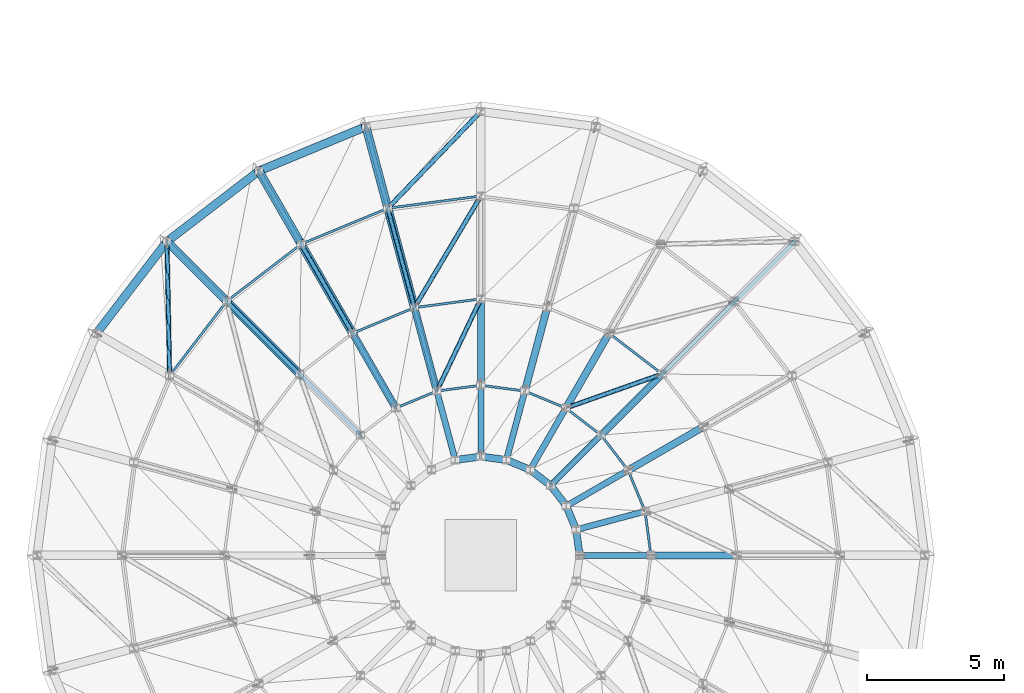
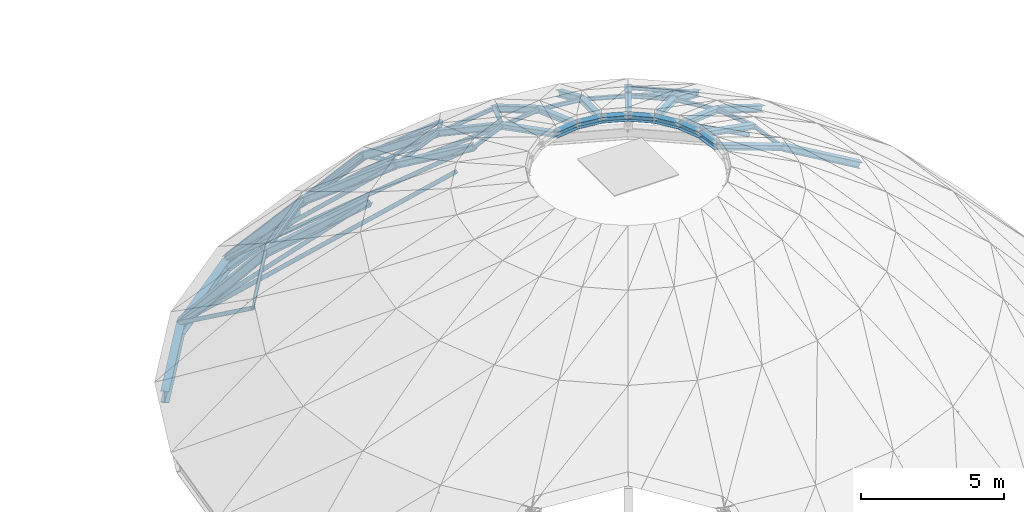
# One storey, part 4 of 19: 32 beams, 27 members.
"""IFC4 building model written with IfcOpenShell, lengths in metres."""

import ifcopenshell
import ifcopenshell.guid

model = None  # the IFC model being written
_history = None  # IfcOwnerHistory: only IFC2X3 demands one
_inside = {}  # id of a spatial element -> (the spatial element, [elements in it])
_under = {}  # id of a project, library or spatial element -> (it, [spatial elements below it])
_declared = {}  # id of a project -> (the project, [libraries it declares])
_typed = {}  # id of a type object -> (the type object, [elements of that type])
_made_of = {}  # id of a material, layer set ... -> (it, [elements and type objects made of it])


def new_model(schema):
    """Start an empty IFC model of exactly this schema.

    Asked for "IFC4X3", IfcOpenShell would pick the latest addendum, in which some entities
    have other attributes; the version numbers below select the first issue.
    IFC2X3 requires an IfcOwnerHistory on every rooted entity: one is made here for all.
    """
    global model, _history
    if schema == "IFC4X3":
        model = ifcopenshell.file(schema_version=(4, 3, 0, 0))
    else:
        model = ifcopenshell.file(schema=schema)
    _inside.clear()
    _under.clear()
    _declared.clear()
    _typed.clear()
    _made_of.clear()
    _history = None
    if model.schema == "IFC2X3":
        org = make("IfcOrganization", Name="unknown")
        user = make(
            "IfcPersonAndOrganization",
            ThePerson=make("IfcPerson", FamilyName="unknown"),
            TheOrganization=org,
        )
        app = make(
            "IfcApplication",
            ApplicationDeveloper=org,
            Version="unknown",
            ApplicationFullName="unknown",
            ApplicationIdentifier="unknown",
        )
        _history = make(
            "IfcOwnerHistory",
            OwningUser=user,
            OwningApplication=app,
            ChangeAction="ADDED",
            CreationDate=0,
        )
    return model


def make(cls, **values):
    """One entity of the class cls with the attributes given. An attribute that is None is left unset."""
    return model.create_entity(
        cls, **{name: value for name, value in values.items() if value is not None}
    )


def rooted(cls, **values):
    """An entity with a GlobalId (a new one), such as an element, a storey or a relation."""
    return make(cls, GlobalId=ifcopenshell.guid.new(), OwnerHistory=_history, **values)


def si_unit(unit_type, name, prefix=None):
    """IfcSIUnit, for example si_unit("LENGTHUNIT", "METRE", prefix="MILLI")."""
    return make("IfcSIUnit", UnitType=unit_type, Prefix=prefix, Name=name)


def assignment(units):
    """IfcUnitAssignment: the units of a project."""
    return None if units is None else make("IfcUnitAssignment", Units=units)


def point(xyz):
    """IfcCartesianPoint."""
    return None if xyz is None else make("IfcCartesianPoint", Coordinates=xyz)


def direction(xyz):
    """IfcDirection."""
    return None if xyz is None else make("IfcDirection", DirectionRatios=xyz)


def frame(location, z_axis=None, x_axis=None):
    """IfcAxis2Placement3D, a coordinate frame: its origin and axes. An axis left out is left unset."""
    return make(
        "IfcAxis2Placement3D",
        Location=point(location),
        Axis=direction(z_axis),
        RefDirection=direction(x_axis),
    )


def frame_2d(location, x_axis=None):
    """IfcAxis2Placement2D, a coordinate frame in the plane: its origin and x axis."""
    return make(
        "IfcAxis2Placement2D", Location=point(location), RefDirection=direction(x_axis)
    )


def origin():
    """The frame at (0, 0, 0) with its axes left unset."""
    return frame((0.0, 0.0, 0.0))


def origin_2d():
    """The frame at (0, 0) in the plane with its x axis left unset."""
    return frame_2d((0.0, 0.0))


def place(relative_to, where):
    """IfcLocalPlacement: puts the frame where relative to a parent placement (None: the world)."""
    return make(
        "IfcLocalPlacement", PlacementRelTo=relative_to, RelativePlacement=where
    )


def context(
    kind, dimensions, precision=None, world=None, true_north=None, identifier=None
):
    """IfcGeometricRepresentationContext, for example the 3D "Model" context."""
    return make(
        "IfcGeometricRepresentationContext",
        ContextIdentifier=identifier,
        ContextType=kind,
        CoordinateSpaceDimension=dimensions,
        Precision=precision,
        WorldCoordinateSystem=world,
        TrueNorth=true_north,
    )


def subcontext(parent, identifier, kind, view, scale=None):
    """IfcGeometricRepresentationSubContext, for example "Body" below "Model"."""
    return make(
        "IfcGeometricRepresentationSubContext",
        ContextIdentifier=identifier,
        ContextType=kind,
        ParentContext=parent,
        TargetScale=scale,
        TargetView=view,
    )


def project(units=None, contexts=None):
    """IfcProject with its units and contexts."""
    return rooted(
        "IfcProject",
        Name="project",
        RepresentationContexts=contexts,
        UnitsInContext=assignment(units),
    )


def spatial(cls, under=None, at=None, **own):
    """A site, building, storey or space (cls), placed at a placement, below another one or the project."""
    s = rooted(cls, ObjectPlacement=at, **own)
    if under is not None:
        _under.setdefault(under.id(), (under, []))[1].append(s)
    return s


def profile(cls, at=None, kind="AREA", **sizes):
    """A parametric profile (cls). Its sizes go by their IFC names, for example OverallWidth=200.0."""
    return make(cls, ProfileType=kind, Position=at, **sizes)


def hollow_circle(**sizes):
    """IfcCircleHollowProfileDef."""
    return profile("IfcCircleHollowProfileDef", **sizes)


def i_section(**sizes):
    """IfcIShapeProfileDef."""
    return profile("IfcIShapeProfileDef", **sizes)


def extrude(swept, where, along, depth):
    """IfcExtrudedAreaSolid: the profile swept, set in the frame where, extruded along a direction by depth."""
    return make(
        "IfcExtrudedAreaSolid",
        SweptArea=swept,
        Position=where,
        ExtrudedDirection=direction(along),
        Depth=depth,
    )


def shape(context_of_items, identifier, shape_type, items):
    """IfcShapeRepresentation: the items that make up one representation, for example the "Body"."""
    return make(
        "IfcShapeRepresentation",
        ContextOfItems=context_of_items,
        RepresentationIdentifier=identifier,
        RepresentationType=shape_type,
        Items=items,
    )


def material(Name=None, Category=None):
    """IfcMaterial."""
    return make("IfcMaterial", Name=Name, Category=Category)


def material_profile(
    of_material, cross_section, Name=None, Category=None, Priority=None
):
    """IfcMaterialProfile: a cross section and its material."""
    return make(
        "IfcMaterialProfile",
        Name=Name,
        Material=of_material,
        Profile=cross_section,
        Priority=Priority,
        Category=Category,
    )


def profile_set(profiles, Name=None, composite=None):
    """IfcMaterialProfileSet."""
    return make(
        "IfcMaterialProfileSet",
        Name=Name,
        MaterialProfiles=profiles,
        CompositeProfile=composite,
    )


def made_of(thing, what):
    """Note that an element or type object is made of a material, layer set ...; save() writes the relation."""
    if what is not None:
        _made_of.setdefault(what.id(), (what, []))[1].append(thing)
    return thing


def type_object(cls, material=None, **own):
    """A type object (cls), such as IfcWallType, which elements share."""
    return made_of(rooted(cls, **own), material)


def element(
    cls,
    number,
    at=None,
    inside=None,
    cuts=None,
    type_object=None,
    material=None,
    context=None,
    identifier="Body",
    shape_type=None,
    held_by="IfcProductDefinitionShape",
    body=None,
    shapes=None,
    **own,
):
    """One element of the class cls, such as IfcWall. Its Tag is "e" and its number.

    at: its placement. inside: the storey or other place that contains it. cuts: it is an
    opening in that element (IfcRelVoidsElement). A single representation is given by context,
    identifier, shape_type and body (its items); several are given by shapes. held_by: the class
    of the entity that holds the representations. save() writes the other relations.
    """
    e = rooted(cls, Tag="e%d" % number, ObjectPlacement=at, **own)
    if body is not None:
        shapes = [shape(context, identifier, shape_type, body)]
    if shapes is not None:
        e.Representation = make(held_by, Representations=shapes)
    if inside is not None:
        _inside.setdefault(inside.id(), (inside, []))[1].append(e)
    if cuts is not None:
        rooted(
            "IfcRelVoidsElement", RelatingBuildingElement=cuts, RelatedOpeningElement=e
        )
    if type_object is not None:
        _typed.setdefault(type_object.id(), (type_object, []))[1].append(e)
    return made_of(e, material)


def aggregate(whole, parts):
    """IfcRelAggregates: a whole, such as a stair, and the parts it consists of."""
    return rooted("IfcRelAggregates", RelatingObject=whole, RelatedObjects=parts)


def save(model, path):
    """Write the relations noted so far, then the file.

    IfcRelAggregates (storeys below a building ...), IfcRelContainedInSpatialStructure (elements
    in a storey), IfcRelDefinesByType, IfcRelAssociatesMaterial and IfcRelDeclares: one each for
    every whole, place, type object, material and project.
    """
    for whole, parts in _under.values():
        aggregate(whole, parts)
    for where, things in _inside.values():
        rooted(
            "IfcRelContainedInSpatialStructure",
            RelatedElements=things,
            RelatingStructure=where,
        )
    for kind, things in _typed.values():
        rooted("IfcRelDefinesByType", RelatedObjects=things, RelatingType=kind)
    for what, things in _made_of.values():
        rooted("IfcRelAssociatesMaterial", RelatedObjects=things, RelatingMaterial=what)
    for by, libraries in _declared.values():
        rooted("IfcRelDeclares", RelatingContext=by, RelatedDefinitions=libraries)
    model.write(path)


model = new_model("IFC4")

# Units and contexts
model_context = context("Model", 3, precision=1e-05, world=origin(), true_north=direction((0.0, 1.0)))
body_context = subcontext(model_context, "Body", "Model", "MODEL_VIEW")
ifc_project = project(units=[si_unit("LENGTHUNIT", "METRE"), si_unit("AREAUNIT", "SQUARE_METRE"), si_unit("VOLUMEUNIT", "CUBIC_METRE"), si_unit("PLANEANGLEUNIT", "RADIAN"), si_unit("MASSUNIT", "GRAM", prefix="KILO")], contexts=[model_context])

# Site, building, storey
site_placement = place(None, origin())
site = spatial("IfcSite", under=ifc_project, at=site_placement, CompositionType="ELEMENT")
building_placement = place(site_placement, origin())
building = spatial("IfcBuilding", under=site, at=building_placement, Name="Montecoro Central Library", CompositionType="ELEMENT")
storey_placement = place(building_placement, frame((0.0, 0.0, 25.5)))
storey = spatial("IfcBuildingStorey", under=building, at=storey_placement, Name="ROOF", CompositionType="ELEMENT", Elevation=25.5)

# Beams
ifc_material_1 = material(Name="Steel S355J2", Category="steel")
ifc_material_profile_1 = material_profile(ifc_material_1, i_section(OverallWidth=0.219970703125, OverallDepth=0.2099609375, WebThickness=0.007080078125, FlangeThickness=0.010986328125, at=origin_2d()), Name="HEA 220")
ifc_profile_set_1 = profile_set([ifc_material_profile_1], Name="Steel S355J2")
beam_type_1 = type_object("IfcBeamType", Name="BM-DR-HEA220", PredefinedType="BEAM", material=ifc_profile_set_1)
beam_1_placement = place(storey_placement, frame((97.800048828125, 35.39990234375, 0.10009765625), z_axis=(-0.940436305787, 0.0, 0.339969932139), x_axis=(0.0, -1.0, 0.0)))
element("IfcBeam", 1, at=beam_1_placement, inside=storey, type_object=beam_type_1, Name="V1-DOME-RIB-01-S4", PredefinedType="BEAM", context=body_context, shape_type="SweptSolid", body=[
    extrude(i_section(OverallWidth=0.219970703125, OverallDepth=0.2099609375, WebThickness=0.007080078125, FlangeThickness=0.010986328125, at=origin_2d()), origin(), (0.0, 0.0, 1.0), 2.764892578125),
])
beam_2_placement = place(storey_placement, frame((97.589111328125, 37.0048828125, 0.10009765625), z_axis=(-0.908444565939, -0.243311294823, 0.339894225351), x_axis=(0.258714187958, -0.965953916576, 0.0)))
element("IfcBeam", 2, at=beam_2_placement, inside=storey, type_object=beam_type_1, Name="V1-DOME-RIB-02-S4", PredefinedType="BEAM", context=body_context, shape_type="SweptSolid", body=[
    extrude(i_section(OverallWidth=0.219970703125, OverallDepth=0.2099609375, WebThickness=0.007080078125, FlangeThickness=0.010986328125, at=origin_2d()), origin(), (0.0, 0.0, 1.0), 2.765380859375),
])
beam_3_placement = place(storey_placement, frame((96.968994140625, 38.5, 0.10009765625), z_axis=(-0.814347436961, -0.470325390653, 0.340047465542), x_axis=(0.500128937424, -0.865950948929, 0.0)))
element("IfcBeam", 3, at=beam_3_placement, inside=storey, type_object=beam_type_1, Name="V1-DOME-RIB-03-S4", PredefinedType="BEAM", context=body_context, shape_type="SweptSolid", body=[
    extrude(i_section(OverallWidth=0.219970703125, OverallDepth=0.2099609375, WebThickness=0.007080078125, FlangeThickness=0.010986328125, at=origin_2d()), origin(), (0.0, 0.0, 1.0), 2.76416015625),
])
beam_4_placement = place(storey_placement, frame((95.98388671875, 39.783935546875, 0.10009765625), z_axis=(-0.664961450013, -0.664961450013, 0.340077255918), x_axis=(0.707106781187, -0.707106781187, 0.0)))
element("IfcBeam", 4, at=beam_4_placement, inside=storey, type_object=beam_type_1, Name="V1-DOME-RIB-04-S4", PredefinedType="BEAM", context=body_context, shape_type="SweptSolid", body=[
    extrude(i_section(OverallWidth=0.219970703125, OverallDepth=0.2099609375, WebThickness=0.007080078125, FlangeThickness=0.010986328125, at=origin_2d()), origin(), (0.0, 0.0, 1.0), 2.763916015625),
])
beam_5_placement = place(storey_placement, frame((94.699951171875, 40.76904296875, 0.10009765625), z_axis=(-0.470325390653, -0.814347436961, 0.340047465542), x_axis=(0.865950948929, -0.500128937424, 0.0)))
element("IfcBeam", 5, at=beam_5_placement, inside=storey, type_object=beam_type_1, Name="V1-DOME-RIB-05-S4", PredefinedType="BEAM", context=body_context, shape_type="SweptSolid", body=[
    extrude(i_section(OverallWidth=0.219970703125, OverallDepth=0.2099609375, WebThickness=0.007080078125, FlangeThickness=0.010986328125, at=origin_2d()), origin(), (0.0, 0.0, 1.0), 2.76416015625),
])
beam_6_placement = place(storey_placement, frame((93.205078125, 41.388916015625, 0.10009765625), z_axis=(-0.243413871009, -0.908409618721, 0.33991418331), x_axis=(0.965924165566, -0.258825242926, 0.0)))
element("IfcBeam", 6, at=beam_6_placement, inside=storey, type_object=beam_type_1, Name="V1-DOME-RIB-06-S4", PredefinedType="BEAM", context=body_context, shape_type="SweptSolid", body=[
    extrude(i_section(OverallWidth=0.219970703125, OverallDepth=0.2099609375, WebThickness=0.007080078125, FlangeThickness=0.010986328125, at=origin_2d()), origin(), (0.0, 0.0, 1.0), 2.76513671875),
])
beam_7_placement = place(storey_placement, frame((91.60009765625, 41.60009765625, 0.10009765625), z_axis=(0.0, -0.940436305787, 0.339969932139), x_axis=(1.0, 0.0, 0.0)))
element("IfcBeam", 7, at=beam_7_placement, inside=storey, type_object=beam_type_1, Name="V1-DOME-RIB-07-S4", PredefinedType="BEAM", context=body_context, shape_type="SweptSolid", body=[
    extrude(i_section(OverallWidth=0.219970703125, OverallDepth=0.2099609375, WebThickness=0.007080078125, FlangeThickness=0.010986328125, at=origin_2d()), origin(), (0.0, 0.0, 1.0), 2.764892578125),
])
beam_8_placement = place(storey_placement, frame((89.9951171875, 41.388916015625, 0.10009765625), z_axis=(0.243330810108, -0.908429138317, 0.33992148727), x_axis=(0.965947632512, 0.258737649451, 0.0)))
element("IfcBeam", 8, at=beam_8_placement, inside=storey, type_object=beam_type_1, Name="V1-DOME-RIB-08-S4", PredefinedType="BEAM", context=body_context, shape_type="SweptSolid", body=[
    extrude(i_section(OverallWidth=0.219970703125, OverallDepth=0.2099609375, WebThickness=0.007080078125, FlangeThickness=0.010986328125, at=origin_2d()), origin(), (0.0, 0.0, 1.0), 2.76513671875),
])
ifc_material_profile_2 = material_profile(ifc_material_1, i_section(OverallWidth=0.260009765625, OverallDepth=0.25, WebThickness=0.007568359375, FlangeThickness=0.012451171875, at=origin_2d()), Name="HEA 260")
ifc_profile_set_2 = profile_set([ifc_material_profile_2], Name="Steel S355J2")
beam_type_2 = type_object("IfcBeamType", Name="BM-DR-HEA260", PredefinedType="BEAM", material=ifc_profile_set_2)
for number, where, z_axis, x_axis, name in (
    (9, (100.949951171875, 35.39990234375, -1.75), (-0.862267330232, 0.0, 0.506453404782), (0.0, -1.0, 0.0), "V1-DOME-RIB-01-S3"),
    (10, (99.697021484375, 40.074951171875, -1.75), (-0.746761384172, -0.431122041283, 0.506439750247), (0.499981869177, -0.866035871367, 0.0), "V1-DOME-RIB-03-S3"),
):
    element("IfcBeam", number, at=place(storey_placement, frame(where, z_axis=z_axis, x_axis=x_axis)), inside=storey, type_object=beam_type_2, Name=name, PredefinedType="BEAM", context=body_context, shape_type="SweptSolid", body=[
        extrude(i_section(OverallWidth=0.260009765625, OverallDepth=0.25, WebThickness=0.007568359375, FlangeThickness=0.012451171875, at=origin_2d()), origin(), (0.0, 0.0, 1.0), 3.653076171875),
    ])
beam_9_placement = place(storey_placement, frame((98.2109375, 42.010986328125, -1.75), z_axis=(-0.609696360037, -0.609696360037, 0.506498467042), x_axis=(0.707106781187, -0.707106781187, 0.0)))
element("IfcBeam", 11, at=beam_9_placement, inside=storey, type_object=beam_type_2, Name="V1-DOME-RIB-04-S3", PredefinedType="BEAM", context=body_context, shape_type="SweptSolid", body=[
    extrude(i_section(OverallWidth=0.260009765625, OverallDepth=0.25, WebThickness=0.007568359375, FlangeThickness=0.012451171875, at=origin_2d()), origin(), (0.0, 0.0, 1.0), 3.65283203125),
])
beam_10_placement = place(storey_placement, frame((96.27490234375, 43.4970703125, -1.75), z_axis=(-0.431122041283, -0.746761384172, 0.506439750247), x_axis=(0.866035871367, -0.499981869177, 0.0)))
element("IfcBeam", 12, at=beam_10_placement, inside=storey, type_object=beam_type_2, Name="V1-DOME-RIB-05-S3", PredefinedType="BEAM", context=body_context, shape_type="SweptSolid", body=[
    extrude(i_section(OverallWidth=0.260009765625, OverallDepth=0.25, WebThickness=0.007568359375, FlangeThickness=0.012451171875, at=origin_2d()), origin(), (0.0, 0.0, 1.0), 3.653076171875),
])
beam_11_placement = place(storey_placement, frame((94.02001953125, 44.430908203125, -1.75), z_axis=(-0.223119206375, -0.832853598392, 0.506530061687), x_axis=(0.965938363316, -0.258772251746, 0.0)))
element("IfcBeam", 13, at=beam_11_placement, inside=storey, type_object=beam_type_2, Name="V1-DOME-RIB-06-S3", PredefinedType="BEAM", context=body_context, shape_type="SweptSolid", body=[
    extrude(i_section(OverallWidth=0.260009765625, OverallDepth=0.25, WebThickness=0.007568359375, FlangeThickness=0.012451171875, at=origin_2d()), origin(), (0.0, 0.0, 1.0), 3.652587890625),
])
beam_12_placement = place(storey_placement, frame((91.60009765625, 44.75, -1.75), z_axis=(0.0, -0.862267330232, 0.506453404782), x_axis=(1.0, 0.0, 0.0)))
element("IfcBeam", 14, at=beam_12_placement, inside=storey, type_object=beam_type_2, Name="V1-DOME-RIB-07-S3", PredefinedType="BEAM", context=body_context, shape_type="SweptSolid", body=[
    extrude(i_section(OverallWidth=0.260009765625, OverallDepth=0.25, WebThickness=0.007568359375, FlangeThickness=0.012451171875, at=origin_2d()), origin(), (0.0, 0.0, 1.0), 3.653076171875),
])
beam_13_placement = place(storey_placement, frame((89.179931640625, 44.430908203125, -1.75), z_axis=(0.223182719587, -0.832841175818, 0.506522506449), x_axis=(0.965918983464, 0.258844581524, 0.0)))
element("IfcBeam", 15, at=beam_13_placement, inside=storey, type_object=beam_type_2, Name="V1-DOME-RIB-08-S3", PredefinedType="BEAM", context=body_context, shape_type="SweptSolid", body=[
    extrude(i_section(OverallWidth=0.260009765625, OverallDepth=0.25, WebThickness=0.007568359375, FlangeThickness=0.012451171875, at=origin_2d()), origin(), (0.0, 0.0, 1.0), 3.652587890625),
])
beam_14_placement = place(storey_placement, frame((86.925048828125, 43.4970703125, -1.75), z_axis=(0.431122041283, -0.746761384172, 0.506439750247), x_axis=(0.866035871367, 0.499981869177, 0.0)))
element("IfcBeam", 16, at=beam_14_placement, inside=storey, type_object=beam_type_2, Name="V1-DOME-RIB-09-S3", PredefinedType="BEAM", context=body_context, shape_type="SweptSolid", body=[
    extrude(i_section(OverallWidth=0.260009765625, OverallDepth=0.25, WebThickness=0.007568359375, FlangeThickness=0.012451171875, at=origin_2d()), origin(), (0.0, 0.0, 1.0), 3.653076171875),
])
ifc_material_profile_3 = material_profile(ifc_material_1, i_section(OverallWidth=0.300048828125, OverallDepth=0.2900390625, WebThickness=0.008544921875, FlangeThickness=0.013916015625, at=origin_2d()), Name="HEA 300")
ifc_profile_set_3 = profile_set([ifc_material_profile_3], Name="Steel S355J2")
beam_type_3 = type_object("IfcBeamType", Name="BM-DR-HEA300", PredefinedType="BEAM", material=ifc_profile_set_3)
beam_15_placement = place(storey_placement, frame((88.208984375, 48.053955078125, -4.60009765625), z_axis=(0.206107995178, -0.76908288872, 0.605004962461), x_axis=(0.965915509226, 0.258857545835, 0.0)))
element("IfcBeam", 17, at=beam_15_placement, inside=storey, type_object=beam_type_3, Name="V1-DOME-RIB-08-S2", PredefinedType="BEAM", context=body_context, shape_type="SweptSolid", body=[
    extrude(i_section(OverallWidth=0.300048828125, OverallDepth=0.2900390625, WebThickness=0.008544921875, FlangeThickness=0.013916015625, at=origin_2d()), origin(), (0.0, 0.0, 1.0), 4.7109375),
])
beam_16_placement = place(storey_placement, frame((85.050048828125, 46.7451171875, -4.60009765625), z_axis=(0.398049787623, -0.689538330018, 0.605056408947), x_axis=(0.866055506462, 0.499947857008, 0.0)))
element("IfcBeam", 18, at=beam_16_placement, inside=storey, type_object=beam_type_3, Name="V1-DOME-RIB-09-S2", PredefinedType="BEAM", context=body_context, shape_type="SweptSolid", body=[
    extrude(i_section(OverallWidth=0.300048828125, OverallDepth=0.2900390625, WebThickness=0.008544921875, FlangeThickness=0.013916015625, at=origin_2d()), origin(), (0.0, 0.0, 1.0), 4.71044921875),
])
beam_17_placement = place(storey_placement, frame((82.3369140625, 44.6630859375, -4.60009765625), z_axis=(0.562999534848, -0.562999534848, 0.605031443415), x_axis=(0.707106781187, 0.707106781187, 0.0)))
element("IfcBeam", 19, at=beam_17_placement, inside=storey, type_object=beam_type_3, Name="V1-DOME-RIB-10-S2", PredefinedType="BEAM", context=body_context, shape_type="SweptSolid", body=[
    extrude(i_section(OverallWidth=0.300048828125, OverallDepth=0.2900390625, WebThickness=0.008544921875, FlangeThickness=0.013916015625, at=origin_2d()), origin(), (0.0, 0.0, 1.0), 4.710693359375),
])
ifc_material_profile_4 = material_profile(ifc_material_1, i_section(OverallWidth=0.300048828125, OverallDepth=0.330078125, WebThickness=0.009521484375, FlangeThickness=0.0166015625, at=origin_2d()), Name="HEA 340")
ifc_profile_set_4 = profile_set([ifc_material_profile_4], Name="Steel S355J2")
beam_type_4 = type_object("IfcBeamType", Name="BM-DR-HEA340", PredefinedType="BEAM", material=ifc_profile_set_4)
beam_18_placement = place(storey_placement, frame((87.412109375, 51.029052734375, -8.159912109375), z_axis=(0.169285622331, -0.632020402488, 0.756235802452), x_axis=(0.965950174068, 0.258728160853, 0.0)))
element("IfcBeam", 20, at=beam_18_placement, inside=storey, type_object=beam_type_4, Name="V1-DOME-RIB-08-S1", PredefinedType="BEAM", context=body_context, shape_type="SweptSolid", body=[
    extrude(i_section(OverallWidth=0.300048828125, OverallDepth=0.330078125, WebThickness=0.009521484375, FlangeThickness=0.0166015625, at=origin_2d()), origin(), (0.0, 0.0, 1.0), 4.707275390625),
])
beam_19_placement = place(storey_placement, frame((83.510009765625, 49.412109375, -8.159912109375), z_axis=(0.327173229869, -0.566588516659, 0.756263929093), x_axis=(0.865990194147, 0.500060979923, 0.0)))
element("IfcBeam", 21, at=beam_19_placement, inside=storey, type_object=beam_type_4, Name="V1-DOME-RIB-09-S1", PredefinedType="BEAM", context=body_context, shape_type="SweptSolid", body=[
    extrude(i_section(OverallWidth=0.300048828125, OverallDepth=0.330078125, WebThickness=0.009521484375, FlangeThickness=0.0166015625, at=origin_2d()), origin(), (0.0, 0.0, 1.0), 4.70703125),
])
beam_20_placement = place(storey_placement, frame((80.158935546875, 46.841064453125, -8.159912109375), z_axis=(0.462672841133, -0.462672841133, 0.756219336011), x_axis=(0.707106781187, 0.707106781187, 0.0)))
element("IfcBeam", 22, at=beam_20_placement, inside=storey, type_object=beam_type_4, Name="V1-DOME-RIB-10-S1", PredefinedType="BEAM", context=body_context, shape_type="SweptSolid", body=[
    extrude(i_section(OverallWidth=0.300048828125, OverallDepth=0.330078125, WebThickness=0.009521484375, FlangeThickness=0.0166015625, at=origin_2d()), origin(), (0.0, 0.0, 1.0), 4.707275390625),
])
ifc_material_profile_5 = material_profile(ifc_material_1, i_section(OverallWidth=0.260009765625, OverallDepth=0.25, WebThickness=0.007568359375, FlangeThickness=0.012451171875, at=origin_2d()), Name="HEA 260")
ifc_profile_set_5 = profile_set([ifc_material_profile_5], Name="Steel S355J2")
beam_type_5 = type_object("IfcBeamType", Name="BM-RG-HEA260", PredefinedType="USERDEFINED", material=ifc_profile_set_5)
beam_21_placement = place(storey_placement, frame((95.198974609375, 35.409912109375, 1.0400390625), z_axis=(-0.131607532787, 0.991301900187, 0.0), x_axis=(-0.991301900187, -0.131607532787, 0.0)))
element("IfcBeam", 23, at=beam_21_placement, inside=storey, type_object=beam_type_5, Name="V1-DOME-RNG4-01", ObjectType="GIRDER", PredefinedType="USERDEFINED", context=body_context, shape_type="SweptSolid", body=[
    extrude(i_section(OverallWidth=0.260009765625, OverallDepth=0.25, WebThickness=0.007568359375, FlangeThickness=0.012451171875, at=origin_2d()), origin(), (0.0, 0.0, 1.0), 0.920166015625),
])
beam_22_placement = place(storey_placement, frame((95.072998046875, 36.341064453125, 1.0400390625), z_axis=(-0.381804530835, 0.924243095854, 0.0), x_axis=(-0.924243095854, -0.381804530835, 0.0)))
element("IfcBeam", 24, at=beam_22_placement, inside=storey, type_object=beam_type_5, Name="V1-DOME-RNG4-02", ObjectType="GIRDER", PredefinedType="USERDEFINED", context=body_context, shape_type="SweptSolid", body=[
    extrude(i_section(OverallWidth=0.260009765625, OverallDepth=0.25, WebThickness=0.007568359375, FlangeThickness=0.012451171875, at=origin_2d()), origin(), (0.0, 0.0, 1.0), 0.91943359375),
])
beam_23_placement = place(storey_placement, frame((94.7119140625, 37.2080078125, 1.0400390625), z_axis=(-0.608542968708, 0.793520922999, 0.0), x_axis=(-0.793520922999, -0.608542968708, 0.0)))
element("IfcBeam", 25, at=beam_23_placement, inside=storey, type_object=beam_type_5, Name="V1-DOME-RNG4-03", ObjectType="GIRDER", PredefinedType="USERDEFINED", context=body_context, shape_type="SweptSolid", body=[
    extrude(i_section(OverallWidth=0.260009765625, OverallDepth=0.25, WebThickness=0.007568359375, FlangeThickness=0.012451171875, at=origin_2d()), origin(), (0.0, 0.0, 1.0), 0.919921875),
])
beam_24_placement = place(storey_placement, frame((94.137939453125, 37.951904296875, 1.0400390625), z_axis=(-0.79339277073, 0.608710038814, 0.0), x_axis=(-0.608710038814, -0.79339277073, 0.0)))
element("IfcBeam", 26, at=beam_24_placement, inside=storey, type_object=beam_type_5, Name="V1-DOME-RNG4-04", ObjectType="GIRDER", PredefinedType="USERDEFINED", context=body_context, shape_type="SweptSolid", body=[
    extrude(i_section(OverallWidth=0.260009765625, OverallDepth=0.25, WebThickness=0.007568359375, FlangeThickness=0.012451171875, at=origin_2d()), origin(), (0.0, 0.0, 1.0), 0.920166015625),
])
beam_25_placement = place(storey_placement, frame((93.39111328125, 38.52197265625, 1.0400390625), z_axis=(-0.924281786369, 0.381710858357, 0.0), x_axis=(-0.381710858357, -0.924281786369, 0.0)))
element("IfcBeam", 27, at=beam_25_placement, inside=storey, type_object=beam_type_5, Name="V1-DOME-RNG4-05", ObjectType="GIRDER", PredefinedType="USERDEFINED", context=body_context, shape_type="SweptSolid", body=[
    extrude(i_section(OverallWidth=0.260009765625, OverallDepth=0.25, WebThickness=0.007568359375, FlangeThickness=0.012451171875, at=origin_2d()), origin(), (0.0, 0.0, 1.0), 0.919677734375),
])
beam_26_placement = place(storey_placement, frame((92.52197265625, 38.8779296875, 1.0400390625), z_axis=(-0.991297302579, 0.131642158522, 0.0), x_axis=(-0.131642158522, -0.991297302579, 0.0)))
element("IfcBeam", 28, at=beam_26_placement, inside=storey, type_object=beam_type_5, Name="V1-DOME-RNG4-06", ObjectType="GIRDER", PredefinedType="USERDEFINED", context=body_context, shape_type="SweptSolid", body=[
    extrude(i_section(OverallWidth=0.260009765625, OverallDepth=0.25, WebThickness=0.007568359375, FlangeThickness=0.012451171875, at=origin_2d()), origin(), (0.0, 0.0, 1.0), 0.919921875),
])
beam_27_placement = place(storey_placement, frame((91.590087890625, 38.9990234375, 1.0400390625), z_axis=(-0.991301900187, -0.131607532787, 0.0), x_axis=(0.131607532787, -0.991301900187, 0.0)))
element("IfcBeam", 29, at=beam_27_placement, inside=storey, type_object=beam_type_5, Name="V1-DOME-RNG4-07", ObjectType="GIRDER", PredefinedType="USERDEFINED", context=body_context, shape_type="SweptSolid", body=[
    extrude(i_section(OverallWidth=0.260009765625, OverallDepth=0.25, WebThickness=0.007568359375, FlangeThickness=0.012451171875, at=origin_2d()), origin(), (0.0, 0.0, 1.0), 0.920166015625),
])
ifc_material_profile_6 = material_profile(ifc_material_1, i_section(OverallWidth=0.300048828125, OverallDepth=0.5, WebThickness=0.014404296875, FlangeThickness=0.028076171875, at=origin_2d()), Name="HEB 500")
ifc_profile_set_6 = profile_set([ifc_material_profile_6], Name="Steel S355J2")
beam_type_6 = type_object("IfcBeamType", Name="BM-RG-HEB500", PredefinedType="USERDEFINED", material=ifc_profile_set_6)
beam_28_placement = place(storey_placement, frame((87.403076171875, 51.02490234375, -8.409912109375), z_axis=(-0.923873856706, -0.382697134684, 0.0), x_axis=(0.382697134684, -0.923873856706, 0.0)))
element("IfcBeam", 30, at=beam_28_placement, inside=storey, type_object=beam_type_6, Name="V1-L03-RING-08", ObjectType="GIRDER", PredefinedType="USERDEFINED", context=body_context, shape_type="SweptSolid", body=[
    extrude(i_section(OverallWidth=0.300048828125, OverallDepth=0.5, WebThickness=0.014404296875, FlangeThickness=0.028076171875, at=origin_2d()), origin(), (0.0, 0.0, 1.0), 4.2041015625),
])
for number, where, z_axis, x_axis, name in (
    (31, (83.501953125, 49.406005859375, -8.409912109375), (-0.793344551064, -0.608772883181, 0.0), (0.608772883181, -0.793344551064, 0.0), "V1-L03-RING-09"),
    (32, (80.153076171875, 46.8330078125, -8.409912109375), (-0.608772883181, -0.793344551064, 0.0), (0.793344551064, -0.608772883181, 0.0), "V1-L03-RING-10"),
):
    element("IfcBeam", number, at=place(storey_placement, frame(where, z_axis=z_axis, x_axis=x_axis)), inside=storey, type_object=beam_type_6, Name=name, ObjectType="GIRDER", PredefinedType="USERDEFINED", context=body_context, shape_type="SweptSolid", body=[
        extrude(i_section(OverallWidth=0.300048828125, OverallDepth=0.5, WebThickness=0.014404296875, FlangeThickness=0.028076171875, at=origin_2d()), origin(), (0.0, 0.0, 1.0), 4.20361328125),
    ])

# Members
ifc_material_2 = material(Name="Steel S355", Category="steel")
ifc_material_profile_7 = material_profile(ifc_material_2, hollow_circle(Radius=0.084228515625, WallThickness=0.008056640625, at=origin_2d()), Name="CHS 168.3x8.0")
ifc_profile_set_7 = profile_set([ifc_material_profile_7], Name="Steel S355")
member_type_1 = type_object("IfcMemberType", Name="MB-BR-CHS168", PredefinedType="BRACE", material=ifc_profile_set_7)
member_1_placement = place(storey_placement, frame((98.202880859375, 42.008056640625, -1.74609375), z_axis=(-0.844281686201, -0.298609722475, 0.444995132545), x_axis=(0.333443576714, -0.94277005741, 0.0)))
element("IfcMember", 33, at=member_1_placement, inside=storey, type_object=member_type_1, Name="V1-DOME-BR-B2-S3", PredefinedType="BRACE", context=body_context, shape_type="SweptSolid", body=[
    extrude(hollow_circle(Radius=0.084228515625, WallThickness=0.008056640625, at=origin_2d()), origin(), (0.0, 0.0, 1.0), 4.139404296875),
])
member_2_placement = place(storey_placement, frame((91.593994140625, 51.573974609375, -8.154052734375), z_axis=(-0.560405581245, -0.582797509455, 0.58846635204), x_axis=(0.720818629351, -0.693123728911, 0.0)))
element("IfcMember", 34, at=member_2_placement, inside=storey, type_object=member_type_1, Name="V1-DOME-BR-B3-S1", PredefinedType="BRACE", context=body_context, shape_type="SweptSolid", body=[
    extrude(hollow_circle(Radius=0.084228515625, WallThickness=0.008056640625, at=origin_2d()), origin(), (0.0, 0.0, 1.0), 6.029296875),
])
member_3_placement = place(storey_placement, frame((91.595947265625, 48.492919921875, -4.594970703125), z_axis=(-0.437973546374, -0.736339976894, 0.515735020242), x_axis=(0.859459082247, -0.511204544134, 0.0)))
element("IfcMember", 35, at=member_3_placement, inside=storey, type_object=member_type_1, Name="V1-DOME-BR-B3-S2", PredefinedType="BRACE", context=body_context, shape_type="SweptSolid", body=[
    extrude(hollow_circle(Radius=0.084228515625, WallThickness=0.008056640625, at=origin_2d()), origin(), (0.0, 0.0, 1.0), 5.5068359375),
])
member_4_placement = place(storey_placement, frame((91.595947265625, 44.741943359375, -1.74609375), z_axis=(-0.38581470495, -0.808140540058, 0.445034696354), x_axis=(0.902432733929, -0.430830779697, 0.0)))
element("IfcMember", 36, at=member_4_placement, inside=storey, type_object=member_type_1, Name="V1-DOME-BR-B3-S3", PredefinedType="BRACE", context=body_context, shape_type="SweptSolid", body=[
    extrude(hollow_circle(Radius=0.084228515625, WallThickness=0.008056640625, at=origin_2d()), origin(), (0.0, 0.0, 1.0), 4.13916015625),
])
member_5_placement = place(storey_placement, frame((80.158935546875, 46.8330078125, -8.154052734375), z_axis=(0.015911015125, -0.808425318114, 0.588383671281), x_axis=(0.999806375718, 0.01967767957, 0.0)))
element("IfcMember", 37, at=member_5_placement, inside=storey, type_object=member_type_1, Name="V1-DOME-BR-B4-S1", PredefinedType="BRACE", context=body_context, shape_type="SweptSolid", body=[
    extrude(hollow_circle(Radius=0.084228515625, WallThickness=0.008056640625, at=origin_2d()), origin(), (0.0, 0.0, 1.0), 6.0302734375),
])
member_6_placement = place(storey_placement, frame((103.030029296875, 46.830078125, -8.14794921875), z_axis=(-0.570780549101, -0.570780549101, 0.590270386803), x_axis=(0.707106781187, -0.707106781187, 0.0)))
element("IfcMember", 38, at=member_6_placement, inside=storey, type_object=member_type_1, Name="V1-DOME-SPK-R4-04", PredefinedType="BRACE", context=body_context, shape_type="SweptSolid", body=[
    extrude(hollow_circle(Radius=0.084228515625, WallThickness=0.008056640625, at=origin_2d()), origin(), (0.0, 0.0, 1.0), 15.54541015625),
])
member_7_placement = place(storey_placement, frame((87.416015625, 51.014892578125, -8.14599609375), z_axis=(0.188702428637, -0.704394833488, 0.684265527395), x_axis=(0.965939400235, 0.258768381133, 0.0)))
element("IfcMember", 39, at=member_7_placement, inside=storey, type_object=member_type_1, Name="V1-DOME-SPK-R2-08", PredefinedType="BRACE", context=body_context, shape_type="SweptSolid", body=[
    extrude(hollow_circle(Radius=0.084228515625, WallThickness=0.008056640625, at=origin_2d()), origin(), (0.0, 0.0, 1.0), 9.326904296875),
])
member_8_placement = place(storey_placement, frame((87.416015625, 51.013916015625, -8.14697265625), z_axis=(0.199389030942, -0.744131130743, 0.637583621652), x_axis=(0.965925925137, 0.258818676196, 0.0)))
element("IfcMember", 40, at=member_8_placement, inside=storey, type_object=member_type_1, Name="V1-DOME-SPK-R3-08", PredefinedType="BRACE", context=body_context, shape_type="SweptSolid", body=[
    extrude(hollow_circle(Radius=0.084228515625, WallThickness=0.008056640625, at=origin_2d()), origin(), (0.0, 0.0, 1.0), 12.914306640625),
])
member_9_placement = place(storey_placement, frame((83.51708984375, 49.39892578125, -8.14599609375), z_axis=(0.364662257081, -0.631444242861, 0.684324196867), x_axis=(0.865967348325, 0.500100541527, 0.0)))
element("IfcMember", 41, at=member_9_placement, inside=storey, type_object=member_type_1, Name="V1-DOME-SPK-R2-09", PredefinedType="BRACE", context=body_context, shape_type="SweptSolid", body=[
    extrude(hollow_circle(Radius=0.084228515625, WallThickness=0.008056640625, at=origin_2d()), origin(), (0.0, 0.0, 1.0), 9.326171875),
])
member_10_placement = place(storey_placement, frame((83.51806640625, 49.39892578125, -8.14697265625), z_axis=(0.385134624741, -0.667222627018, 0.63756198665), x_axis=(0.866074039807, 0.499915750474, 0.0)))
element("IfcMember", 42, at=member_10_placement, inside=storey, type_object=member_type_1, Name="V1-DOME-SPK-R3-09", PredefinedType="BRACE", context=body_context, shape_type="SweptSolid", body=[
    extrude(hollow_circle(Radius=0.084228515625, WallThickness=0.008056640625, at=origin_2d()), origin(), (0.0, 0.0, 1.0), 12.91455078125),
])
member_11_placement = place(storey_placement, frame((80.1689453125, 46.8310546875, -8.14599609375), z_axis=(0.515679746126, -0.515679746126, 0.684214000786), x_axis=(0.707106781187, 0.707106781187, 0.0)))
element("IfcMember", 43, at=member_11_placement, inside=storey, type_object=member_type_1, Name="V1-DOME-SPK-R2-10", PredefinedType="BRACE", context=body_context, shape_type="SweptSolid", body=[
    extrude(hollow_circle(Radius=0.084228515625, WallThickness=0.008056640625, at=origin_2d()), origin(), (0.0, 0.0, 1.0), 9.32763671875),
])
member_12_placement = place(storey_placement, frame((80.169921875, 46.830078125, -8.14697265625), z_axis=(0.54474957074, -0.54474957074, 0.637570239547), x_axis=(0.707106781187, 0.707106781187, 0.0)))
element("IfcMember", 44, at=member_12_placement, inside=storey, type_object=member_type_1, Name="V1-DOME-SPK-R3-10", PredefinedType="BRACE", context=body_context, shape_type="SweptSolid", body=[
    extrude(hollow_circle(Radius=0.084228515625, WallThickness=0.008056640625, at=origin_2d()), origin(), (0.0, 0.0, 1.0), 12.91455078125),
])
ifc_material_profile_8 = material_profile(ifc_material_2, i_section(OverallWidth=0.08203125, OverallDepth=0.159912109375, WebThickness=0.0048828125, FlangeThickness=0.00732421875, at=origin_2d()), Name="IPE 160")
ifc_profile_set_8 = profile_set([ifc_material_profile_8], Name="Steel S355")
member_type_2 = type_object("IfcMemberType", Name="MB-PR-IPE160", PredefinedType="PURLIN", material=ifc_profile_set_8)
member_13_placement = place(storey_placement, frame((91.590087890625, 48.4990234375, -4.60009765625), z_axis=(-0.991434243961, -0.130606814149, 0.0), x_axis=(0.130606814149, -0.991434243961, 0.0)))
element("IfcMember", 45, at=member_13_placement, inside=storey, type_object=member_type_2, Name="V1-DOME-RNG1-07", PredefinedType="PURLIN", context=body_context, shape_type="SweptSolid", body=[
    extrude(i_section(OverallWidth=0.08203125, OverallDepth=0.159912109375, WebThickness=0.0048828125, FlangeThickness=0.00732421875, at=origin_2d()), origin(), (0.0, 0.0, 1.0), 3.400146484375),
])
member_14_placement = place(storey_placement, frame((88.199951171875, 48.050048828125, -4.60009765625), z_axis=(-0.923875913917, -0.382692168307, 0.0), x_axis=(0.382692168307, -0.923875913917, 0.0)))
element("IfcMember", 46, at=member_14_placement, inside=storey, type_object=member_type_2, Name="V1-DOME-RNG1-08", PredefinedType="PURLIN", context=body_context, shape_type="SweptSolid", body=[
    extrude(i_section(OverallWidth=0.08203125, OverallDepth=0.159912109375, WebThickness=0.0048828125, FlangeThickness=0.00732421875, at=origin_2d()), origin(), (0.0, 0.0, 1.0), 3.399658203125),
])
for number, where, z_axis, x_axis, name in (
    (47, (85.0419921875, 46.739013671875, -4.60009765625), (-0.79327222257, -0.6088671291, 0.0), (0.6088671291, -0.79327222257, 0.0), "V1-DOME-RNG1-09"),
    (48, (82.3310546875, 44.655029296875, -4.60009765625), (-0.6088671291, -0.79327222257, 0.0), (0.79327222257, -0.6088671291, 0.0), "V1-DOME-RNG1-10"),
):
    element("IfcMember", number, at=place(storey_placement, frame(where, z_axis=z_axis, x_axis=x_axis)), inside=storey, type_object=member_type_2, Name=name, PredefinedType="PURLIN", context=body_context, shape_type="SweptSolid", body=[
        extrude(i_section(OverallWidth=0.08203125, OverallDepth=0.159912109375, WebThickness=0.0048828125, FlangeThickness=0.00732421875, at=origin_2d()), origin(), (0.0, 0.0, 1.0), 3.39990234375),
    ])
member_15_placement = place(storey_placement, frame((98.202880859375, 42.01708984375, -1.75), z_axis=(-0.793219814168, 0.608935404137, 0.0), x_axis=(-0.608935404137, -0.793219814168, 0.0)))
element("IfcMember", 49, at=member_15_placement, inside=storey, type_object=member_type_2, Name="V1-DOME-RNG2-04", PredefinedType="PURLIN", context=body_context, shape_type="SweptSolid", body=[
    extrude(i_section(OverallWidth=0.08203125, OverallDepth=0.159912109375, WebThickness=0.0048828125, FlangeThickness=0.00732421875, at=origin_2d()), origin(), (0.0, 0.0, 1.0), 2.42041015625),
])
for number, where, z_axis, x_axis, name in (
    (50, (91.590087890625, 44.7490234375, -1.75), (-0.991383098778, -0.130994471093, 0.0), (0.130994471093, -0.991383098778, 0.0), "V1-DOME-RNG2-07"),
    (51, (89.1708984375, 44.427001953125, -1.75), (-0.923951704199, -0.382509148006, 0.0), (0.382509148006, -0.923951704199, 0.0), "V1-DOME-RNG2-08"),
):
    element("IfcMember", number, at=place(storey_placement, frame(where, z_axis=z_axis, x_axis=x_axis)), inside=storey, type_object=member_type_2, Name=name, PredefinedType="PURLIN", context=body_context, shape_type="SweptSolid", body=[
        extrude(i_section(OverallWidth=0.08203125, OverallDepth=0.159912109375, WebThickness=0.0048828125, FlangeThickness=0.00732421875, at=origin_2d()), origin(), (0.0, 0.0, 1.0), 2.4208984375),
    ])
for number, where, z_axis, x_axis, name in (
    (52, (97.799072265625, 35.409912109375, 0.10009765625), (-0.130703345654, 0.99142152258, 0.0), (-0.99142152258, -0.130703345654, 0.0), "V1-DOME-RNG3-01"),
    (53, (97.5849609375, 37.013916015625, 0.10009765625), (-0.382814800569, 0.923825107077, 0.0), (-0.923825107077, -0.382814800569, 0.0), "V1-DOME-RNG3-02"),
):
    element("IfcMember", number, at=place(storey_placement, frame(where, z_axis=z_axis, x_axis=x_axis)), inside=storey, type_object=member_type_2, Name=name, PredefinedType="PURLIN", context=body_context, shape_type="SweptSolid", body=[
        extrude(i_section(OverallWidth=0.08203125, OverallDepth=0.159912109375, WebThickness=0.0048828125, FlangeThickness=0.00732421875, at=origin_2d()), origin(), (0.0, 0.0, 1.0), 1.598876953125),
    ])
member_16_placement = place(storey_placement, frame((96.962890625, 38.508056640625, 0.10009765625), z_axis=(-0.608787481944, 0.793333348491, 0.0), x_axis=(-0.793333348491, -0.608787481944, 0.0)))
element("IfcMember", 54, at=member_16_placement, inside=storey, type_object=member_type_2, Name="V1-DOME-RNG3-03", PredefinedType="PURLIN", context=body_context, shape_type="SweptSolid", body=[
    extrude(i_section(OverallWidth=0.08203125, OverallDepth=0.159912109375, WebThickness=0.0048828125, FlangeThickness=0.00732421875, at=origin_2d()), origin(), (0.0, 0.0, 1.0), 1.59814453125),
])
member_17_placement = place(storey_placement, frame((95.97607421875, 39.7900390625, 0.10009765625), z_axis=(-0.793389958062, 0.608713704828, 0.0), x_axis=(-0.608713704828, -0.793389958062, 0.0)))
element("IfcMember", 55, at=member_17_placement, inside=storey, type_object=member_type_2, Name="V1-DOME-RNG3-04", PredefinedType="PURLIN", context=body_context, shape_type="SweptSolid", body=[
    extrude(i_section(OverallWidth=0.08203125, OverallDepth=0.159912109375, WebThickness=0.0048828125, FlangeThickness=0.00732421875, at=origin_2d()), origin(), (0.0, 0.0, 1.0), 1.598388671875),
])
for number, where, z_axis, x_axis, name in (
    (56, (94.69091796875, 40.77294921875, 0.10009765625), (-0.923802724827, 0.382868809909, 0.0), (-0.382868809909, -0.923802724827, 0.0), "V1-DOME-RNG3-05"),
    (57, (93.195068359375, 41.389892578125, 0.10009765625), (-0.991399110608, 0.13087323441, 0.0), (-0.13087323441, -0.991399110608, 0.0), "V1-DOME-RNG3-06"),
):
    element("IfcMember", number, at=place(storey_placement, frame(where, z_axis=z_axis, x_axis=x_axis)), inside=storey, type_object=member_type_2, Name=name, PredefinedType="PURLIN", context=body_context, shape_type="SweptSolid", body=[
        extrude(i_section(OverallWidth=0.08203125, OverallDepth=0.159912109375, WebThickness=0.0048828125, FlangeThickness=0.00732421875, at=origin_2d()), origin(), (0.0, 0.0, 1.0), 1.5986328125),
    ])
for number, where, z_axis, x_axis, name in (
    (58, (91.590087890625, 41.59912109375, 0.10009765625), (-0.991401725617, -0.13085342351, 0.0), (0.13085342351, -0.991401725617, 0.0), "V1-DOME-RNG3-07"),
    (59, (89.986083984375, 41.385009765625, 0.10009765625), (-0.923825107077, -0.382814800569, 0.0), (0.382814800569, -0.923825107077, 0.0), "V1-DOME-RNG3-08"),
):
    element("IfcMember", number, at=place(storey_placement, frame(where, z_axis=z_axis, x_axis=x_axis)), inside=storey, type_object=member_type_2, Name=name, PredefinedType="PURLIN", context=body_context, shape_type="SweptSolid", body=[
        extrude(i_section(OverallWidth=0.08203125, OverallDepth=0.159912109375, WebThickness=0.0048828125, FlangeThickness=0.00732421875, at=origin_2d()), origin(), (0.0, 0.0, 1.0), 1.598876953125),
    ])

save(model, "model.ifc")
